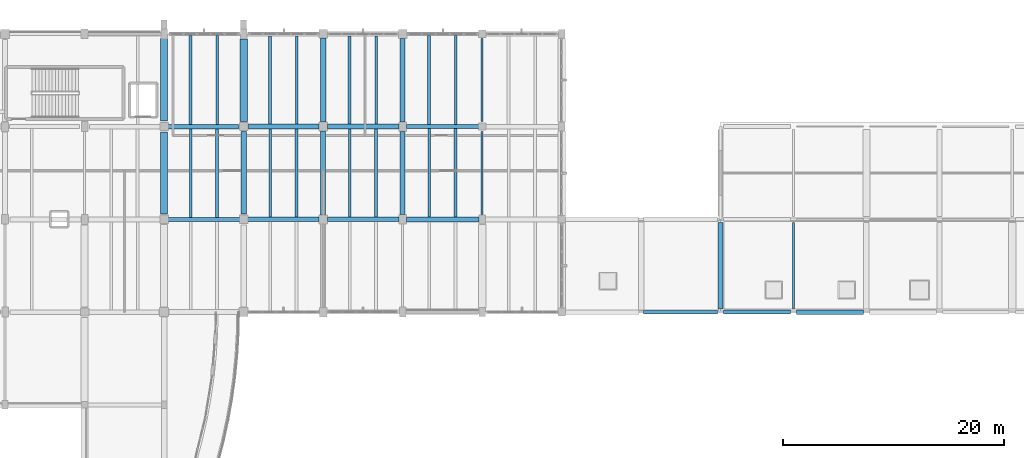
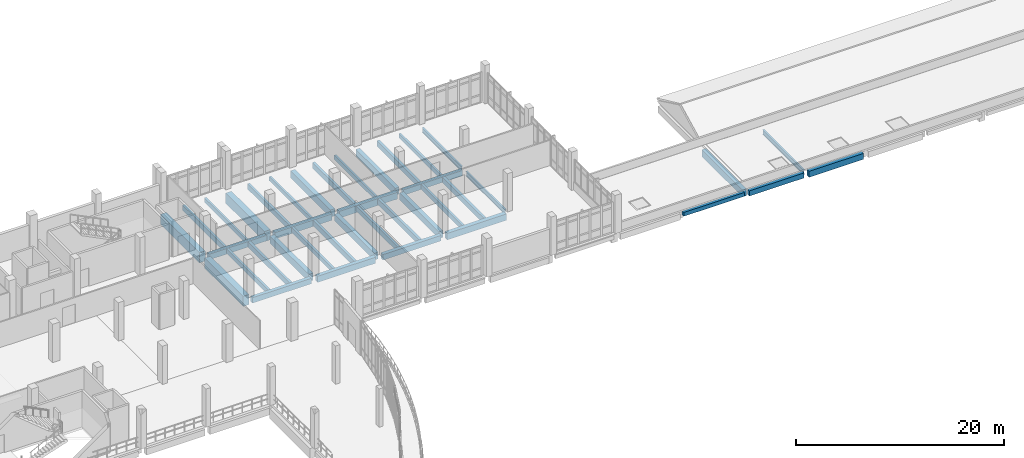
# One storey, part 73 of 124: 39 beams.
"""IFC4 building model written with IfcOpenShell, lengths in metres."""

from ifc_helpers import new_model, si_unit, direction, frame, origin, origin_2d, place, context, subcontext, project, spatial, rectangle, i_section, extrude, material, material_profile, profile_set, type_object, element, save


model = new_model("IFC4")

# Units and contexts
model_context = context("Model", 3, precision=1e-05, world=origin(), true_north=direction((0.0, 1.0)))
body_context = subcontext(model_context, "Body", "Model", "MODEL_VIEW")
ifc_project = project(units=[si_unit("LENGTHUNIT", "METRE"), si_unit("AREAUNIT", "SQUARE_METRE"), si_unit("VOLUMEUNIT", "CUBIC_METRE"), si_unit("PLANEANGLEUNIT", "RADIAN"), si_unit("MASSUNIT", "GRAM", prefix="KILO")], contexts=[model_context])

# Site, building, storey
site_placement = place(None, origin())
site = spatial("IfcSite", under=ifc_project, at=site_placement, CompositionType="ELEMENT")
building_placement = place(site_placement, origin())
building = spatial("IfcBuilding", under=site, at=building_placement, Name="Kalluvel Institute of Natural Sciences", CompositionType="ELEMENT")
storey_placement = place(building_placement, frame((0.0, 0.0, 9.89990234375)))
storey = spatial("IfcBuildingStorey", under=building, at=storey_placement, Name="L02", CompositionType="ELEMENT", Elevation=9.89990234375)

# Beams
ifc_material_1 = material(Name="Steel E350 Grade 350", Category="steel")
ifc_material_profile_1 = material_profile(ifc_material_1, i_section(OverallWidth=0.18994140625, OverallDepth=0.550048828125, WebThickness=0.01123046875, FlangeThickness=0.019287109375, FilletRadius=0.01806640625, at=origin_2d()), Name="ISMB 550")
ifc_profile_set_1 = profile_set([ifc_material_profile_1], Name="Steel E350 Grade 350")
beam_type_1 = type_object("IfcBeamType", Name="BM-ISMB550", PredefinedType="BEAM", material=ifc_profile_set_1)
beam_1_placement = place(storey_placement, frame((107.60009765625, 111.64990234375, -0.594970703125), z_axis=(0.0, 1.0, 0.0), x_axis=(-1.0, 0.0, 0.0)))
element("IfcBeam", 1, at=beam_1_placement, inside=storey, type_object=beam_type_1, Name="L02 girder GIR-L02-NS-X1076-Y1112", PredefinedType="BEAM", context=body_context, shape_type="SweptSolid", body=[
    extrude(i_section(OverallWidth=0.18994140625, OverallDepth=0.550048828125, WebThickness=0.01123046875, FlangeThickness=0.019287109375, FilletRadius=0.01806640625, at=origin_2d()), origin(), (0.0, 0.0, 1.0), 7.5),
])
beam_2_placement = place(storey_placement, frame((107.60009765625, 120.050048828125, -0.594970703125), z_axis=(0.0, 1.0, 0.0), x_axis=(-1.0, 0.0, 0.0)))
element("IfcBeam", 2, at=beam_2_placement, inside=storey, type_object=beam_type_1, Name="L02 girder GIR-L02-NS-X1076-Y1196", PredefinedType="BEAM", context=body_context, shape_type="SweptSolid", body=[
    extrude(i_section(OverallWidth=0.18994140625, OverallDepth=0.550048828125, WebThickness=0.01123046875, FlangeThickness=0.019287109375, FilletRadius=0.01806640625, at=origin_2d()), origin(), (0.0, 0.0, 1.0), 7.52490234375),
])
beam_3_placement = place(storey_placement, frame((135.800048828125, 103.074951171875, -0.594970703125), z_axis=(0.0, 1.0, 0.0), x_axis=(-1.0, 0.0, 0.0)))
element("IfcBeam", 3, at=beam_3_placement, inside=storey, type_object=beam_type_1, Name="L02 girder GIR-L02-NS-X1358-Y1028", PredefinedType="BEAM", context=body_context, shape_type="SweptSolid", body=[
    extrude(i_section(OverallWidth=0.18994140625, OverallDepth=0.550048828125, WebThickness=0.01123046875, FlangeThickness=0.019287109375, FilletRadius=0.01806640625, at=origin_2d()), origin(), (0.0, 0.0, 1.0), 7.85009765625),
])
ifc_material_2 = material(Name="Concrete M40", Category="concrete")
ifc_material_profile_2 = material_profile(ifc_material_2, rectangle(XDim=0.3798828125, YDim=0.639892578125, at=origin_2d()), Name="RCB 380x640")
ifc_profile_set_2 = profile_set([ifc_material_profile_2], Name="Concrete M40")
beam_type_2 = type_object("IfcBeamType", Name="BM-RC380x640", PredefinedType="BEAM", material=ifc_profile_set_2)
beam_4_placement = place(storey_placement, frame((79.125, 111.199951171875, -0.639892578125), z_axis=(1.0, 0.0, 0.0), x_axis=(0.0, 1.0, 0.0)))
element("IfcBeam", 4, at=beam_4_placement, inside=storey, type_object=beam_type_2, Name="L02 girder GIR-L02-EW-X788-Y1112", PredefinedType="BEAM", context=body_context, shape_type="SweptSolid", body=[
    extrude(rectangle(XDim=0.3798828125, YDim=0.639892578125, at=origin_2d()), origin(), (0.0, 0.0, 1.0), 6.52490234375),
])
beam_5_placement = place(storey_placement, frame((100.72509765625, 119.60009765625, -0.639892578125), z_axis=(1.0, 0.0, 0.0), x_axis=(0.0, 1.0, 0.0)))
element("IfcBeam", 5, at=beam_5_placement, inside=storey, type_object=beam_type_2, Name="L02 girder GIR-L02-EW-X1004-Y1196", PredefinedType="BEAM", context=body_context, shape_type="SweptSolid", body=[
    extrude(rectangle(XDim=0.3798828125, YDim=0.639892578125, at=origin_2d()), origin(), (0.0, 0.0, 1.0), 6.574951171875),
])
ifc_material_profile_3 = material_profile(ifc_material_2, rectangle(XDim=0.39990234375, YDim=0.64990234375, at=origin_2d()), Name="RCB 400x650")
ifc_profile_set_3 = profile_set([ifc_material_profile_3], Name="Concrete M40")
beam_type_3 = type_object("IfcBeamType", Name="BM-RC400x650", PredefinedType="BEAM", material=ifc_profile_set_3)
beam_6_placement = place(storey_placement, frame((93.60009765625, 111.199951171875, -0.64501953125), z_axis=(1.0, 0.0, 0.0), x_axis=(0.0, 1.0, 0.0)))
element("IfcBeam", 6, at=beam_6_placement, inside=storey, type_object=beam_type_3, Name="L02 girder GIR-L02-EW-X932-Y1112", PredefinedType="BEAM", context=body_context, shape_type="SweptSolid", body=[
    extrude(rectangle(XDim=0.39990234375, YDim=0.64990234375, at=origin_2d()), origin(), (0.0, 0.0, 1.0), 6.474853515625),
])
beam_7_placement = place(storey_placement, frame((79.14990234375, 119.60009765625, -0.64501953125), z_axis=(1.0, 0.0, 0.0), x_axis=(0.0, 1.0, 0.0)))
element("IfcBeam", 7, at=beam_7_placement, inside=storey, type_object=beam_type_3, Name="L02 girder GIR-L02-EW-X788-Y1196", PredefinedType="BEAM", context=body_context, shape_type="SweptSolid", body=[
    extrude(rectangle(XDim=0.39990234375, YDim=0.64990234375, at=origin_2d()), origin(), (0.0, 0.0, 1.0), 6.400146484375),
])
ifc_material_profile_4 = material_profile(ifc_material_2, rectangle(XDim=0.419921875, YDim=0.719970703125, at=origin_2d()), Name="RCB 420x720")
ifc_profile_set_4 = profile_set([ifc_material_profile_4], Name="Concrete M40")
beam_type_4 = type_object("IfcBeamType", Name="BM-RC420x720", PredefinedType="BEAM", material=ifc_profile_set_4)
beam_8_placement = place(storey_placement, frame((86.35009765625, 111.199951171875, -0.679931640625), z_axis=(1.0, 0.0, 0.0), x_axis=(0.0, 1.0, 0.0)))
element("IfcBeam", 8, at=beam_8_placement, inside=storey, type_object=beam_type_4, Name="L02 girder GIR-L02-EW-X860-Y1112", PredefinedType="BEAM", context=body_context, shape_type="SweptSolid", body=[
    extrude(rectangle(XDim=0.419921875, YDim=0.719970703125, at=origin_2d()), origin(), (0.0, 0.0, 1.0), 6.449951171875),
])
ifc_material_profile_5 = material_profile(ifc_material_2, rectangle(XDim=0.449951171875, YDim=0.75, at=origin_2d()), Name="RCB 450x750")
ifc_profile_set_5 = profile_set([ifc_material_profile_5], Name="Concrete M40")
beam_type_5 = type_object("IfcBeamType", Name="BM-RC450x750", PredefinedType="BEAM", material=ifc_profile_set_5)
beam_9_placement = place(storey_placement, frame((100.72509765625, 111.199951171875, -0.69482421875), z_axis=(1.0, 0.0, 0.0), x_axis=(0.0, 1.0, 0.0)))
element("IfcBeam", 9, at=beam_9_placement, inside=storey, type_object=beam_type_5, Name="L02 girder GIR-L02-EW-X1004-Y1112", PredefinedType="BEAM", context=body_context, shape_type="SweptSolid", body=[
    extrude(rectangle(XDim=0.449951171875, YDim=0.75, at=origin_2d()), origin(), (0.0, 0.0, 1.0), 6.574951171875),
])
beam_10_placement = place(storey_placement, frame((86.449951171875, 119.60009765625, -0.69482421875), z_axis=(1.0, 0.0, 0.0), x_axis=(0.0, 1.0, 0.0)))
element("IfcBeam", 10, at=beam_10_placement, inside=storey, type_object=beam_type_5, Name="L02 girder GIR-L02-EW-X860-Y1196", PredefinedType="BEAM", context=body_context, shape_type="SweptSolid", body=[
    extrude(rectangle(XDim=0.449951171875, YDim=0.75, at=origin_2d()), origin(), (0.0, 0.0, 1.0), 6.35009765625),
])
ifc_material_profile_6 = material_profile(ifc_material_2, rectangle(XDim=0.449951171875, YDim=0.800048828125, at=origin_2d()), Name="RCB 450x800")
ifc_profile_set_6 = profile_set([ifc_material_profile_6], Name="Concrete M40")
beam_type_6 = type_object("IfcBeamType", Name="BM-RC450x800", PredefinedType="BEAM", material=ifc_profile_set_6)
beam_11_placement = place(storey_placement, frame((93.60009765625, 119.60009765625, -0.719970703125), z_axis=(1.0, 0.0, 0.0), x_axis=(0.0, 1.0, 0.0)))
element("IfcBeam", 11, at=beam_11_placement, inside=storey, type_object=beam_type_6, Name="L02 girder GIR-L02-EW-X932-Y1196", PredefinedType="BEAM", context=body_context, shape_type="SweptSolid", body=[
    extrude(rectangle(XDim=0.449951171875, YDim=0.800048828125, at=origin_2d()), origin(), (0.0, 0.0, 1.0), 6.474853515625),
])
beam_12_placement = place(storey_placement, frame((93.199951171875, 111.60009765625, -0.719970703125), z_axis=(0.0, 1.0, 0.0), x_axis=(-1.0, 0.0, 0.0)))
element("IfcBeam", 12, at=beam_12_placement, inside=storey, type_object=beam_type_6, Name="L02 girder GIR-L02-NS-X932-Y1112", PredefinedType="BEAM", context=body_context, shape_type="SweptSolid", body=[
    extrude(rectangle(XDim=0.449951171875, YDim=0.800048828125, at=origin_2d()), origin(), (0.0, 0.0, 1.0), 7.599853515625),
])
beam_13_placement = place(storey_placement, frame((100.39990234375, 111.625, -0.719970703125), z_axis=(0.0, 1.0, 0.0), x_axis=(-1.0, 0.0, 0.0)))
element("IfcBeam", 13, at=beam_13_placement, inside=storey, type_object=beam_type_6, Name="L02 girder GIR-L02-NS-X1004-Y1112", PredefinedType="BEAM", context=body_context, shape_type="SweptSolid", body=[
    extrude(rectangle(XDim=0.449951171875, YDim=0.800048828125, at=origin_2d()), origin(), (0.0, 0.0, 1.0), 7.550048828125),
])
beam_14_placement = place(storey_placement, frame((100.39990234375, 120.02490234375, -0.719970703125), z_axis=(0.0, 1.0, 0.0), x_axis=(-1.0, 0.0, 0.0)))
element("IfcBeam", 14, at=beam_14_placement, inside=storey, type_object=beam_type_6, Name="L02 girder GIR-L02-NS-X1004-Y1196", PredefinedType="BEAM", context=body_context, shape_type="SweptSolid", body=[
    extrude(rectangle(XDim=0.449951171875, YDim=0.800048828125, at=origin_2d()), origin(), (0.0, 0.0, 1.0), 7.5751953125),
])
beam_15_placement = place(storey_placement, frame((129.199951171875, 103.074951171875, -0.719970703125), z_axis=(0.0, 1.0, 0.0), x_axis=(-1.0, 0.0, 0.0)))
element("IfcBeam", 15, at=beam_15_placement, inside=storey, type_object=beam_type_6, Name="L02 girder GIR-L02-NS-X1292-Y1028", PredefinedType="BEAM", context=body_context, shape_type="SweptSolid", body=[
    extrude(rectangle(XDim=0.449951171875, YDim=0.800048828125, at=origin_2d()), origin(), (0.0, 0.0, 1.0), 7.85009765625),
])
ifc_material_3 = material(Name="Concrete M50", Category="concrete")
ifc_material_profile_7 = material_profile(ifc_material_3, rectangle(XDim=0.5, YDim=0.85009765625, at=origin_2d()), Name="RCB 500x850")
ifc_profile_set_7 = profile_set([ifc_material_profile_7], Name="Concrete M50")
beam_type_7 = type_object("IfcBeamType", Name="BM-RC500x850", PredefinedType="BEAM", material=ifc_profile_set_7)
beam_16_placement = place(storey_placement, frame((86.0, 111.699951171875, -0.744873046875), z_axis=(0.0, 1.0, 0.0), x_axis=(-1.0, 0.0, 0.0)))
element("IfcBeam", 16, at=beam_16_placement, inside=storey, type_object=beam_type_7, Name="L02 girder GIR-L02-NS-X860-Y1112", PredefinedType="BEAM", context=body_context, shape_type="SweptSolid", body=[
    extrude(rectangle(XDim=0.5, YDim=0.85009765625, at=origin_2d()), origin(), (0.0, 0.0, 1.0), 7.449951171875),
])
beam_17_placement = place(storey_placement, frame((93.199951171875, 120.0, -0.744873046875), z_axis=(0.0, 1.0, 0.0), x_axis=(-1.0, 0.0, 0.0)))
element("IfcBeam", 17, at=beam_17_placement, inside=storey, type_object=beam_type_7, Name="L02 girder GIR-L02-NS-X932-Y1196", PredefinedType="BEAM", context=body_context, shape_type="SweptSolid", body=[
    extrude(rectangle(XDim=0.5, YDim=0.85009765625, at=origin_2d()), origin(), (0.0, 0.0, 1.0), 7.625),
])
ifc_material_profile_8 = material_profile(ifc_material_3, rectangle(XDim=0.64990234375, YDim=1.199951171875, at=origin_2d()), Name="RCB 650x1200")
ifc_profile_set_8 = profile_set([ifc_material_profile_8], Name="Concrete M50")
beam_type_8 = type_object("IfcBeamType", Name="BM-RC650x1200", PredefinedType="BEAM", material=ifc_profile_set_8)
beam_18_placement = place(storey_placement, frame((78.800048828125, 111.675048828125, -0.919921875), z_axis=(0.0, 1.0, 0.0), x_axis=(-1.0, 0.0, 0.0)))
element("IfcBeam", 18, at=beam_18_placement, inside=storey, type_object=beam_type_8, Name="L02 girder GIR-L02-NS-X788-Y1112", PredefinedType="BEAM", context=body_context, shape_type="SweptSolid", body=[
    extrude(rectangle(XDim=0.64990234375, YDim=1.199951171875, at=origin_2d()), origin(), (0.0, 0.0, 1.0), 7.425048828125),
])
for number, where, z_axis, x_axis, name in (
    (19, (78.800048828125, 120.10009765625, -0.919921875), (0.0, 1.0, 0.0), (-1.0, 0.0, 0.0), "L02 girder GIR-L02-NS-X788-Y1196"),
    (20, (86.0, 120.050048828125, -0.919921875), (0.0, 1.0, 0.0), (-1.0, 0.0, 0.0), "L02 girder GIR-L02-NS-X860-Y1196"),
):
    element("IfcBeam", number, at=place(storey_placement, frame(where, z_axis=z_axis, x_axis=x_axis)), inside=storey, type_object=beam_type_8, Name=name, PredefinedType="BEAM", context=body_context, shape_type="SweptSolid", body=[
        extrude(rectangle(XDim=0.64990234375, YDim=1.199951171875, at=origin_2d()), origin(), (0.0, 0.0, 1.0), 7.474853515625),
    ])
ifc_material_profile_9 = material_profile(ifc_material_2, rectangle(XDim=0.300048828125, YDim=0.449951171875, at=origin_2d()), Name="RCB 300x450")
ifc_profile_set_9 = profile_set([ifc_material_profile_9], Name="Concrete M40")
beam_type_9 = type_object("IfcBeamType", Name="SP-RC300x450", PredefinedType="SPANDREL", material=ifc_profile_set_9)
beam_19_placement = place(storey_placement, frame((122.199951171875, 102.800048828125, -0.544921875), z_axis=(1.0, 0.0, 0.0), x_axis=(0.0, 1.0, 0.0)))
element("IfcBeam", 21, at=beam_19_placement, inside=storey, type_object=beam_type_9, Name="L02 girder GIR-L02-EW-X1220-Y1028", PredefinedType="SPANDREL", context=body_context, shape_type="SweptSolid", body=[
    extrude(rectangle(XDim=0.300048828125, YDim=0.449951171875, at=origin_2d()), origin(), (0.0, 0.0, 1.0), 6.72509765625),
])
ifc_material_profile_10 = material_profile(ifc_material_2, rectangle(XDim=0.35009765625, YDim=0.60009765625, at=origin_2d()), Name="RCB 350x600")
ifc_profile_set_10 = profile_set([ifc_material_profile_10], Name="Concrete M40")
beam_type_10 = type_object("IfcBeamType", Name="SP-RC350x600", PredefinedType="SPANDREL", material=ifc_profile_set_10)
beam_20_placement = place(storey_placement, frame((129.47509765625, 102.800048828125, -0.619873046875), z_axis=(1.0, 0.0, 0.0), x_axis=(0.0, 1.0, 0.0)))
element("IfcBeam", 22, at=beam_20_placement, inside=storey, type_object=beam_type_10, Name="L02 girder GIR-L02-EW-X1292-Y1028", PredefinedType="SPANDREL", context=body_context, shape_type="SweptSolid", body=[
    extrude(rectangle(XDim=0.35009765625, YDim=0.60009765625, at=origin_2d()), origin(), (0.0, 0.0, 1.0), 6.0498046875),
])
ifc_material_profile_11 = material_profile(ifc_material_2, rectangle(XDim=0.39990234375, YDim=0.699951171875, at=origin_2d()), Name="RCB 400x700")
ifc_profile_set_11 = profile_set([ifc_material_profile_11], Name="Concrete M40")
beam_type_11 = type_object("IfcBeamType", Name="SP-RC400x700", PredefinedType="SPANDREL", material=ifc_profile_set_11)
beam_21_placement = place(storey_placement, frame((136.074951171875, 102.800048828125, -0.669921875), z_axis=(1.0, 0.0, 0.0), x_axis=(0.0, 1.0, 0.0)))
element("IfcBeam", 23, at=beam_21_placement, inside=storey, type_object=beam_type_11, Name="L02 girder GIR-L02-EW-X1358-Y1028", PredefinedType="SPANDREL", context=body_context, shape_type="SweptSolid", body=[
    extrude(rectangle(XDim=0.39990234375, YDim=0.699951171875, at=origin_2d()), origin(), (0.0, 0.0, 1.0), 6.050048828125),
])
ifc_material_profile_12 = material_profile(ifc_material_2, rectangle(XDim=0.219970703125, YDim=0.5, at=origin_2d()), Name="WAF 220x500")
ifc_profile_set_12 = profile_set([ifc_material_profile_12], Name="Concrete M40")
beam_type_12 = type_object("IfcBeamType", Name="WJ-220x500", PredefinedType="JOIST", material=ifc_profile_set_12)
beam_22_placement = place(storey_placement, frame((83.60009765625, 119.800048828125, -0.56982421875), z_axis=(0.0, 1.0, 0.0), x_axis=(-1.0, 0.0, 0.0)))
element("IfcBeam", 24, at=beam_22_placement, inside=storey, type_object=beam_type_12, Name="L02 waffle joist RIB-L02-0193", PredefinedType="JOIST", context=body_context, shape_type="SweptSolid", body=[
    extrude(rectangle(XDim=0.219970703125, YDim=0.5, at=origin_2d()), origin(), (0.0, 0.0, 1.0), 8.050048828125),
])
beam_23_placement = place(storey_placement, frame((90.800048828125, 119.824951171875, -0.56982421875), z_axis=(0.0, 1.0, 0.0), x_axis=(-1.0, 0.0, 0.0)))
element("IfcBeam", 25, at=beam_23_placement, inside=storey, type_object=beam_type_12, Name="L02 waffle joist RIB-L02-0199", PredefinedType="JOIST", context=body_context, shape_type="SweptSolid", body=[
    extrude(rectangle(XDim=0.219970703125, YDim=0.5, at=origin_2d()), origin(), (0.0, 0.0, 1.0), 8.0),
])
beam_24_placement = place(storey_placement, frame((98.0, 119.824951171875, -0.56982421875), z_axis=(0.0, 1.0, 0.0), x_axis=(-1.0, 0.0, 0.0)))
element("IfcBeam", 26, at=beam_24_placement, inside=storey, type_object=beam_type_12, Name="L02 waffle joist RIB-L02-0205", PredefinedType="JOIST", context=body_context, shape_type="SweptSolid", body=[
    extrude(rectangle(XDim=0.219970703125, YDim=0.5, at=origin_2d()), origin(), (0.0, 0.0, 1.0), 7.97509765625),
])
beam_25_placement = place(storey_placement, frame((105.199951171875, 119.7900390625, -0.56982421875), z_axis=(0.0, 1.0, 0.0), x_axis=(-1.0, 0.0, 0.0)))
element("IfcBeam", 27, at=beam_25_placement, inside=storey, type_object=beam_type_12, Name="L02 waffle joist RIB-L02-0211", PredefinedType="JOIST", context=body_context, shape_type="SweptSolid", body=[
    extrude(rectangle(XDim=0.219970703125, YDim=0.5, at=origin_2d()), origin(), (0.0, 0.0, 1.0), 8.06005859375),
])
ifc_material_profile_13 = material_profile(ifc_material_2, rectangle(XDim=0.25, YDim=0.550048828125, at=origin_2d()), Name="WAF 250x550")
ifc_profile_set_13 = profile_set([ifc_material_profile_13], Name="Concrete M40")
beam_type_13 = type_object("IfcBeamType", Name="WJ-250x550", PredefinedType="JOIST", material=ifc_profile_set_13)
beam_26_placement = place(storey_placement, frame((81.199951171875, 111.389892578125, -0.594970703125), z_axis=(0.0, 1.0, 0.0), x_axis=(-1.0, 0.0, 0.0)))
element("IfcBeam", 28, at=beam_26_placement, inside=storey, type_object=beam_type_13, Name="L02 waffle joist RIB-L02-0190", PredefinedType="JOIST", context=body_context, shape_type="SweptSolid", body=[
    extrude(rectangle(XDim=0.25, YDim=0.550048828125, at=origin_2d()), origin(), (0.0, 0.0, 1.0), 8.010009765625),
])
beam_27_placement = place(storey_placement, frame((88.39990234375, 111.409912109375, -0.594970703125), z_axis=(0.0, 1.0, 0.0), x_axis=(-1.0, 0.0, 0.0)))
element("IfcBeam", 29, at=beam_27_placement, inside=storey, type_object=beam_type_13, Name="L02 waffle joist RIB-L02-0196", PredefinedType="JOIST", context=body_context, shape_type="SweptSolid", body=[
    extrude(rectangle(XDim=0.25, YDim=0.550048828125, at=origin_2d()), origin(), (0.0, 0.0, 1.0), 7.965087890625),
])
ifc_material_profile_14 = material_profile(ifc_material_2, rectangle(XDim=0.25, YDim=0.60009765625, at=origin_2d()), Name="WAF 250x600")
ifc_profile_set_14 = profile_set([ifc_material_profile_14], Name="Concrete M40")
beam_type_14 = type_object("IfcBeamType", Name="WJ-250x600", PredefinedType="JOIST", material=ifc_profile_set_14)
beam_28_placement = place(storey_placement, frame((95.60009765625, 111.39990234375, -0.619873046875), z_axis=(0.0, 1.0, 0.0), x_axis=(-1.0, 0.0, 0.0)))
element("IfcBeam", 30, at=beam_28_placement, inside=storey, type_object=beam_type_14, Name="L02 waffle joist RIB-L02-0202", PredefinedType="JOIST", context=body_context, shape_type="SweptSolid", body=[
    extrude(rectangle(XDim=0.25, YDim=0.60009765625, at=origin_2d()), origin(), (0.0, 0.0, 1.0), 7.97509765625),
])
beam_29_placement = place(storey_placement, frame((102.800048828125, 111.425048828125, -0.619873046875), z_axis=(0.0, 1.0, 0.0), x_axis=(-1.0, 0.0, 0.0)))
element("IfcBeam", 31, at=beam_29_placement, inside=storey, type_object=beam_type_14, Name="L02 waffle joist RIB-L02-0208", PredefinedType="JOIST", context=body_context, shape_type="SweptSolid", body=[
    extrude(rectangle(XDim=0.25, YDim=0.60009765625, at=origin_2d()), origin(), (0.0, 0.0, 1.0), 7.98486328125),
])
ifc_material_profile_15 = material_profile(ifc_material_3, rectangle(XDim=0.260009765625, YDim=0.6201171875, at=origin_2d()), Name="WAF 260x620")
ifc_profile_set_15 = profile_set([ifc_material_profile_15], Name="Concrete M50")
beam_type_15 = type_object("IfcBeamType", Name="WJ-260x620", PredefinedType="JOIST", material=ifc_profile_set_15)
beam_30_placement = place(storey_placement, frame((81.199951171875, 119.800048828125, -0.6298828125), z_axis=(0.0, 1.0, 0.0), x_axis=(-1.0, 0.0, 0.0)))
element("IfcBeam", 32, at=beam_30_placement, inside=storey, type_object=beam_type_15, Name="L02 waffle joist RIB-L02-0192", PredefinedType="JOIST", context=body_context, shape_type="SweptSolid", body=[
    extrude(rectangle(XDim=0.260009765625, YDim=0.6201171875, at=origin_2d()), origin(), (0.0, 0.0, 1.0), 8.050048828125),
])
beam_31_placement = place(storey_placement, frame((88.39990234375, 119.824951171875, -0.6298828125), z_axis=(0.0, 1.0, 0.0), x_axis=(-1.0, 0.0, 0.0)))
element("IfcBeam", 33, at=beam_31_placement, inside=storey, type_object=beam_type_15, Name="L02 waffle joist RIB-L02-0198", PredefinedType="JOIST", context=body_context, shape_type="SweptSolid", body=[
    extrude(rectangle(XDim=0.260009765625, YDim=0.6201171875, at=origin_2d()), origin(), (0.0, 0.0, 1.0), 8.0),
])
ifc_material_profile_16 = material_profile(ifc_material_3, rectangle(XDim=0.280029296875, YDim=0.64990234375, at=origin_2d()), Name="WAF 280x650")
ifc_profile_set_16 = profile_set([ifc_material_profile_16], Name="Concrete M50")
beam_type_16 = type_object("IfcBeamType", Name="WJ-280x650", PredefinedType="JOIST", material=ifc_profile_set_16)
beam_32_placement = place(storey_placement, frame((83.60009765625, 111.389892578125, -0.64501953125), z_axis=(0.0, 1.0, 0.0), x_axis=(-1.0, 0.0, 0.0)))
element("IfcBeam", 34, at=beam_32_placement, inside=storey, type_object=beam_type_16, Name="L02 waffle joist RIB-L02-0191", PredefinedType="JOIST", context=body_context, shape_type="SweptSolid", body=[
    extrude(rectangle(XDim=0.280029296875, YDim=0.64990234375, at=origin_2d()), origin(), (0.0, 0.0, 1.0), 8.010009765625),
])
beam_33_placement = place(storey_placement, frame((90.800048828125, 111.409912109375, -0.64501953125), z_axis=(0.0, 1.0, 0.0), x_axis=(-1.0, 0.0, 0.0)))
element("IfcBeam", 35, at=beam_33_placement, inside=storey, type_object=beam_type_16, Name="L02 waffle joist RIB-L02-0197", PredefinedType="JOIST", context=body_context, shape_type="SweptSolid", body=[
    extrude(rectangle(XDim=0.280029296875, YDim=0.64990234375, at=origin_2d()), origin(), (0.0, 0.0, 1.0), 7.965087890625),
])
for number, where, z_axis, x_axis, name in (
    (36, (98.0, 111.39990234375, -0.64501953125), (0.0, 1.0, 0.0), (-1.0, 0.0, 0.0), "L02 waffle joist RIB-L02-0203"),
    (37, (95.60009765625, 119.824951171875, -0.64501953125), (0.0, 1.0, 0.0), (-1.0, 0.0, 0.0), "L02 waffle joist RIB-L02-0204"),
):
    element("IfcBeam", number, at=place(storey_placement, frame(where, z_axis=z_axis, x_axis=x_axis)), inside=storey, type_object=beam_type_16, Name=name, PredefinedType="JOIST", context=body_context, shape_type="SweptSolid", body=[
        extrude(rectangle(XDim=0.280029296875, YDim=0.64990234375, at=origin_2d()), origin(), (0.0, 0.0, 1.0), 7.97509765625),
    ])
beam_34_placement = place(storey_placement, frame((105.199951171875, 111.425048828125, -0.64501953125), z_axis=(0.0, 1.0, 0.0), x_axis=(-1.0, 0.0, 0.0)))
element("IfcBeam", 38, at=beam_34_placement, inside=storey, type_object=beam_type_16, Name="L02 waffle joist RIB-L02-0209", PredefinedType="JOIST", context=body_context, shape_type="SweptSolid", body=[
    extrude(rectangle(XDim=0.280029296875, YDim=0.64990234375, at=origin_2d()), origin(), (0.0, 0.0, 1.0), 7.98486328125),
])
beam_35_placement = place(storey_placement, frame((102.800048828125, 119.7900390625, -0.64501953125), z_axis=(0.0, 1.0, 0.0), x_axis=(-1.0, 0.0, 0.0)))
element("IfcBeam", 39, at=beam_35_placement, inside=storey, type_object=beam_type_16, Name="L02 waffle joist RIB-L02-0210", PredefinedType="JOIST", context=body_context, shape_type="SweptSolid", body=[
    extrude(rectangle(XDim=0.280029296875, YDim=0.64990234375, at=origin_2d()), origin(), (0.0, 0.0, 1.0), 8.06005859375),
])

save(model, "model.ifc")
